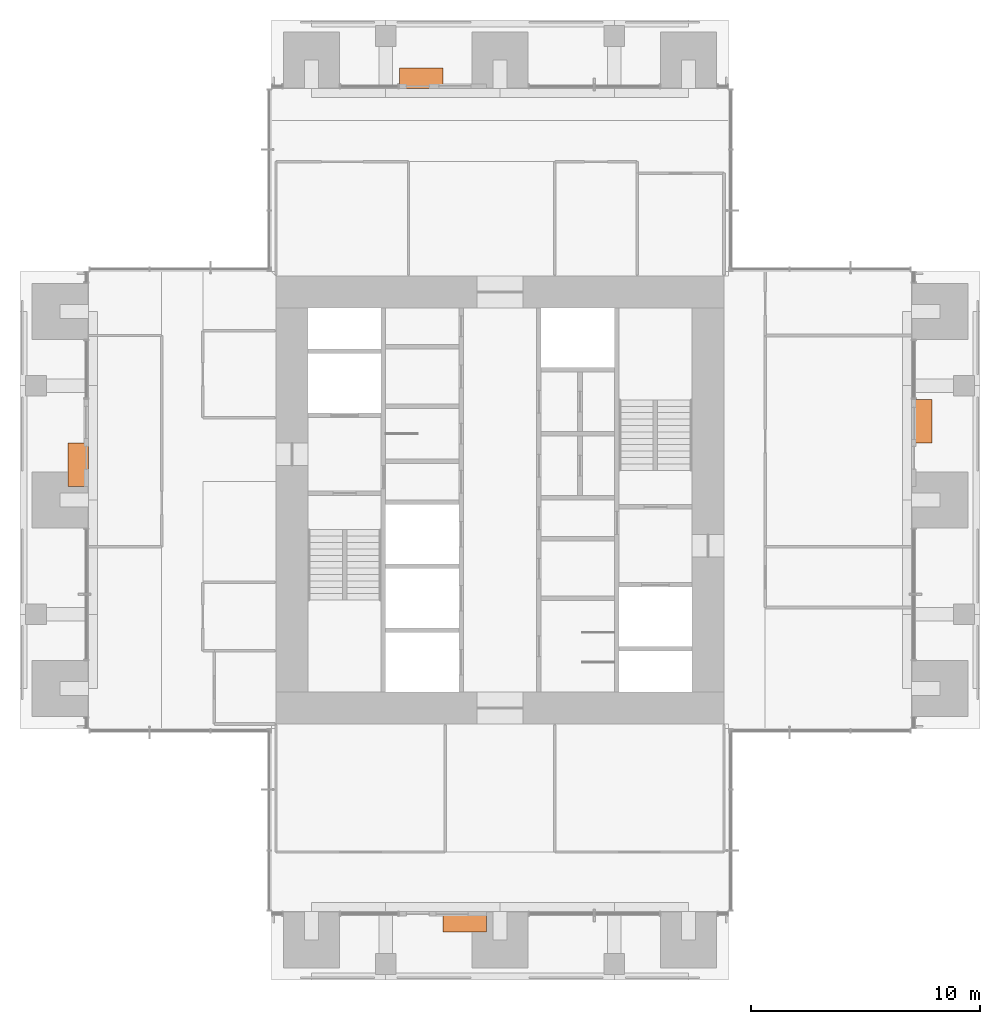
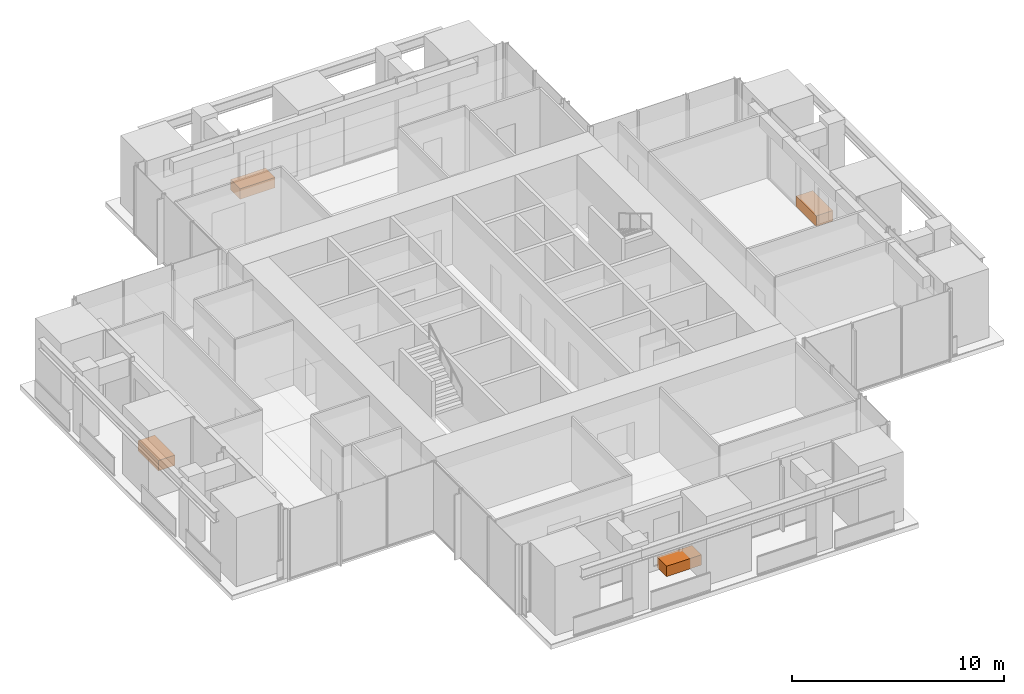
# One storey, part 17 of 17: 4 proxies.
"""IFC4 building model written with IfcOpenShell, lengths in metres."""

from ifc_helpers import new_model, si_unit, direction, frame, origin, origin_2d, place, context, subcontext, project, spatial, rectangle, extrude, element, save


model = new_model("IFC4")

# Units and contexts
model_context = context("Model", 3, precision=1e-05, world=origin(), true_north=direction((0.0, 1.0)))
body_context = subcontext(model_context, "Body", "Model", "MODEL_VIEW")
ifc_project = project(units=[si_unit("LENGTHUNIT", "METRE"), si_unit("AREAUNIT", "SQUARE_METRE"), si_unit("VOLUMEUNIT", "CUBIC_METRE"), si_unit("PLANEANGLEUNIT", "RADIAN"), si_unit("MASSUNIT", "GRAM", prefix="KILO")], contexts=[model_context])

# Site, building, storey
site_placement = place(None, origin())
site = spatial("IfcSite", under=ifc_project, at=site_placement, CompositionType="ELEMENT")
building_placement = place(site_placement, origin())
building = spatial("IfcBuilding", under=site, at=building_placement, Name="Svetlomir Tower", CompositionType="ELEMENT")
storey_placement = place(building_placement, frame((0.0, 0.0, 214.5)))
storey = spatial("IfcBuildingStorey", under=building, at=storey_placement, Name="L51", CompositionType="ELEMENT", Elevation=214.5)

# Proxies
proxy_1_placement = place(storey_placement, frame((19.449951171875, 2.550048828125, 0.0400390625), z_axis=(0.0, 0.0, 1.0), x_axis=(1.0, 0.0, 0.0)))
element("IfcBuildingElementProxy", 1, at=proxy_1_placement, inside=storey, Name="Tree planter S L51", ObjectType="PLANTER", PredefinedType="USERDEFINED", context=body_context, shape_type="SweptSolid", body=[
    extrude(rectangle(XDim=1.89990234375, YDim=0.89990234375, at=origin_2d()), origin(), (0.0, 0.0, 1.0), 0.60009765625),
])
proxy_2_placement = place(storey_placement, frame((39.449951171875, 24.449951171875, 0.0400390625), z_axis=(0.0, 0.0, 1.0), x_axis=(1.0, 0.0, 0.0)))
element("IfcBuildingElementProxy", 2, at=proxy_2_placement, inside=storey, Name="Tree planter E L51", ObjectType="PLANTER", PredefinedType="USERDEFINED", context=body_context, shape_type="SweptSolid", body=[
    extrude(rectangle(XDim=0.89990234375, YDim=1.89990234375, at=origin_2d()), origin(), (0.0, 0.0, 1.0), 0.60009765625),
])
proxy_3_placement = place(storey_placement, frame((17.550048828125, 39.449951171875, 0.0400390625), z_axis=(0.0, 0.0, 1.0), x_axis=(1.0, 0.0, 0.0)))
element("IfcBuildingElementProxy", 3, at=proxy_3_placement, inside=storey, Name="Tree planter N L51", ObjectType="PLANTER", PredefinedType="USERDEFINED", context=body_context, shape_type="SweptSolid", body=[
    extrude(rectangle(XDim=1.89990234375, YDim=0.89990234375, at=origin_2d()), origin(), (0.0, 0.0, 1.0), 0.60009765625),
])
proxy_4_placement = place(storey_placement, frame((2.550048828125, 22.550048828125, 0.0400390625), z_axis=(0.0, 0.0, 1.0), x_axis=(1.0, 0.0, 0.0)))
element("IfcBuildingElementProxy", 4, at=proxy_4_placement, inside=storey, Name="Tree planter W L51", ObjectType="PLANTER", PredefinedType="USERDEFINED", context=body_context, shape_type="SweptSolid", body=[
    extrude(rectangle(XDim=0.89990234375, YDim=1.89990234375, at=origin_2d()), origin(), (0.0, 0.0, 1.0), 0.60009765625),
])

save(model, "model.ifc")
